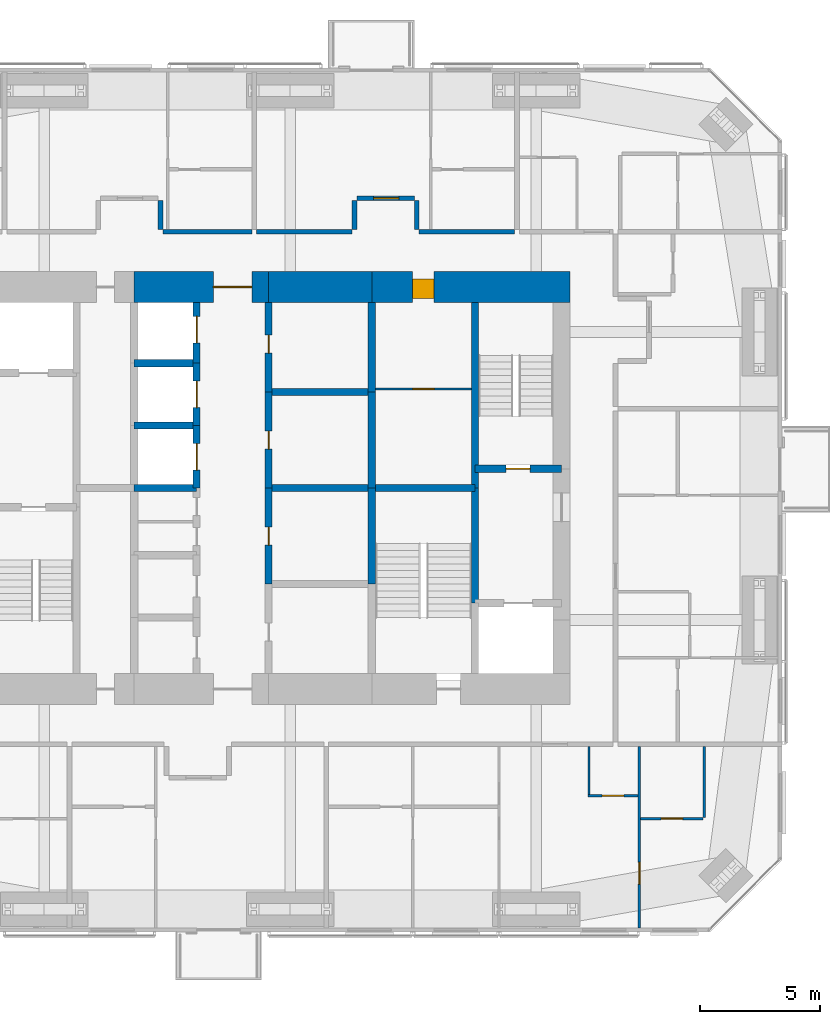
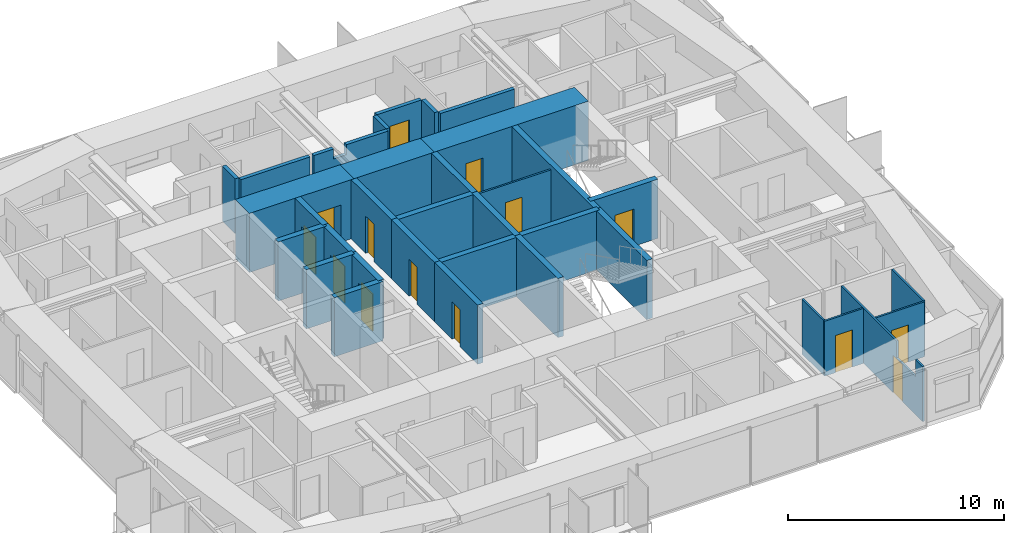
# One storey, part 19 of 23: 34 walls, 14 doors, 14 openings.
"""IFC4 building model written with IfcOpenShell, lengths in metres."""

from ifc_helpers import new_model, si_unit, direction, frame, frame_2d, origin, place, context, subcontext, project, spatial, polyline, rectangle, outline, extrude, material, layer, layer_set, constituent, constituent_set, type_object, element, fill, save


model = new_model("IFC4")

# Units and contexts
model_context = context("Model", 3, precision=1e-05, world=origin(), true_north=direction((0.0, 1.0)))
body_context = subcontext(model_context, "Body", "Model", "MODEL_VIEW")
ifc_project = project(units=[si_unit("LENGTHUNIT", "METRE"), si_unit("AREAUNIT", "SQUARE_METRE"), si_unit("VOLUMEUNIT", "CUBIC_METRE"), si_unit("PLANEANGLEUNIT", "RADIAN"), si_unit("MASSUNIT", "GRAM", prefix="KILO")], contexts=[model_context])

# Site, building, storey
site_placement = place(None, origin())
site = spatial("IfcSite", under=ifc_project, at=site_placement, CompositionType="ELEMENT")
building_placement = place(site_placement, origin())
building = spatial("IfcBuilding", under=site, at=building_placement, Name="Jalousie Tower", CompositionType="ELEMENT")
storey_placement = place(building_placement, frame((0.0, 0.0, 187.85009765625)))
storey = spatial("IfcBuildingStorey", under=building, at=storey_placement, Name="L51", CompositionType="ELEMENT", Elevation=187.85009765625)

# Wall, opening, door
ifc_material_1 = material(Name="Concrete f'c 120 MPa", Category="concrete")
ifc_layer_1 = layer(ifc_material_1, 1.300048828125)
ifc_layer_set_1 = layer_set([ifc_layer_1], Name="Concrete f'c 120 MPa")
wall_type_1 = type_object("IfcWallType", Name="CORE WALL 1300", PredefinedType="SHEAR", material=ifc_layer_set_1)
wall_1_placement = place(storey_placement, frame((44.14990234375, 26.875, 0.0), z_axis=(0.0, 0.0, 1.0), x_axis=(-1.0, 0.0, 0.0)))
wall_1 = element("IfcWall", 1, at=wall_1_placement, inside=storey, type_object=wall_type_1, Name="Core wall NA L51", PredefinedType="SHEAR", context=body_context, shape_type="SweptSolid", body=[
    extrude(rectangle(XDim=8.25, YDim=1.300048828125, at=frame_2d((4.125, 0.0))), origin(), (0.0, 0.0, 1.0), 3.349853515625),
])
opening_1_placement = place(wall_1_placement, frame((5.64990234375, 0.0, 0.0)))
opening_1 = element("IfcOpeningElement", 2, at=opening_1_placement, cuts=wall_1, Name="Opening D26", PredefinedType="OPENING", context=body_context, shape_type="SweptSolid", body=[
    extrude(rectangle(XDim=0.89990234375, YDim=2.10009765625, at=frame_2d((0.449951171875, 1.050048828125))), frame((0.0, 0.659912109375, 0.0), z_axis=(0.0, -1.0, 0.0), x_axis=(1.0, 0.0, 0.0)), (0.0, 0.0, 1.0), 1.320068359375),
])
ifc_material_2 = material(Name="Steel fire door", Category="steel")
door_type_1 = type_object("IfcDoorType", Name="HOUSEKEEPING STORE DOOR 900", OperationType="SINGLE_SWING_LEFT", PredefinedType="DOOR", material=ifc_material_2)
door_1_placement = place(opening_1_placement, origin())
door_1 = element("IfcDoor", 3, at=door_1_placement, inside=storey, type_object=door_type_1, Name="Housekeeping store door", OperationType="SINGLE_SWING_RIGHT", OverallHeight=2.10009765625, OverallWidth=0.89990234375, PredefinedType="DOOR", context=body_context, shape_type="SweptSolid", body=[
    extrude(rectangle(XDim=0.89990234375, YDim=2.10009765625, at=frame_2d((0.449951171875, 1.050048828125))), frame((0.0, 0.47021484375, 0.0), z_axis=(0.0, -1.0, 0.0), x_axis=(1.0, 0.0, 0.0)), (0.0, 0.0, 1.0), 0.800048828125),
])
fill(opening_1, door_1)

# Wall
wall_2_placement = place(storey_placement, frame((35.89990234375, 26.875, 0.0), z_axis=(0.0, 0.0, 1.0), x_axis=(-1.0, 0.0, 0.0)))
element("IfcWall", 4, at=wall_2_placement, inside=storey, type_object=wall_type_1, Name="Core wall NB L51", PredefinedType="SHEAR", context=body_context, shape_type="SweptSolid", body=[
    extrude(rectangle(XDim=4.2998046875, YDim=1.300048828125, at=frame_2d((2.14990234375, 0.0))), origin(), (0.0, 0.0, 1.0), 3.349853515625),
])

# Wall, opening, door
wall_3_placement = place(storey_placement, frame((31.60009765625, 26.875, 0.0), z_axis=(0.0, 0.0, 1.0), x_axis=(-1.0, 0.0, 0.0)))
wall_3 = element("IfcWall", 5, at=wall_3_placement, inside=storey, type_object=wall_type_1, Name="Core wall NC L51", PredefinedType="SHEAR", context=body_context, shape_type="SweptSolid", body=[
    extrude(rectangle(XDim=5.60009765625, YDim=1.300048828125, at=frame_2d((2.800048828125, 0.0))), origin(), (0.0, 0.0, 1.0), 3.349853515625),
])
opening_2_placement = place(wall_3_placement, frame((0.699951171875, 0.0, 0.0)))
opening_2 = element("IfcOpeningElement", 6, at=opening_2_placement, cuts=wall_3, Name="Opening D15", PredefinedType="OPENING", context=body_context, shape_type="SweptSolid", body=[
    extrude(rectangle(XDim=1.60009765625, YDim=2.10009765625, at=frame_2d((0.800048828125, 1.050048828125))), frame((0.0, 0.659912109375, 0.0), z_axis=(0.0, -1.0, 0.0), x_axis=(1.0, 0.0, 0.0)), (0.0, 0.0, 1.0), 1.320068359375),
])
ifc_material_3 = material(Name="Steel fire door", Category="steel")
door_type_2 = type_object("IfcDoorType", Name="LIFT LOBBY DOOR 1600", OperationType="DOUBLE_DOOR_SINGLE_SWING", PredefinedType="DOOR", material=ifc_material_3)
door_2_placement = place(opening_2_placement, origin())
door_2 = element("IfcDoor", 7, at=door_2_placement, inside=storey, type_object=door_type_2, Name="Lift lobby north door", OperationType="DOUBLE_DOOR_SINGLE_SWING", OverallHeight=2.10009765625, OverallWidth=1.60009765625, PredefinedType="DOOR", context=body_context, shape_type="SweptSolid", body=[
    extrude(rectangle(XDim=1.60009765625, YDim=2.10009765625, at=frame_2d((0.800048828125, 1.050048828125))), frame((0.0, 0.02490234375, 0.0), z_axis=(0.0, -1.0, 0.0), x_axis=(1.0, 0.0, 0.0)), (0.0, 0.0, 1.0), 0.050048828125),
])
fill(opening_2, door_2)

ifc_material_4 = material(Name="Concrete f'c 120 MPa", Category="concrete")
ifc_layer_2 = layer(ifc_material_4, 0.300048828125)
ifc_layer_set_2 = layer_set([ifc_layer_2], Name="Concrete f'c 120 MPa")
wall_type_2 = type_object("IfcWallType", Name="CORE WALL 300", PredefinedType="SHEAR", material=ifc_layer_set_2)
wall_4_placement = place(storey_placement, frame((28.60009765625, 18.5, 0.0), z_axis=(0.0, 0.0, 1.0), x_axis=(0.0, 1.0, 0.0)))
wall_4 = element("IfcWall", 8, at=wall_4_placement, inside=storey, type_object=wall_type_2, Name="Core wall X28.6D L51", PredefinedType="SHEAR", context=body_context, shape_type="SweptSolid", body=[
    extrude(rectangle(XDim=2.60009765625, YDim=0.300048828125, at=frame_2d((1.300048828125, 0.0))), origin(), (0.0, 0.0, 1.0), 3.349853515625),
])
opening_3_placement = place(wall_4_placement, frame((0.75, 0.0, 0.0)))
opening_3 = element("IfcOpeningElement", 9, at=opening_3_placement, cuts=wall_4, Name="Opening LD1", PredefinedType="OPENING", context=body_context, shape_type="SweptSolid", body=[
    extrude(rectangle(XDim=1.10009765625, YDim=2.10009765625, at=frame_2d((0.550048828125, 1.050048828125))), frame((0.0, 0.159912109375, 0.0), z_axis=(0.0, -1.0, 0.0), x_axis=(1.0, 0.0, 0.0)), (0.0, 0.0, 1.0), 0.320068359375),
])
ifc_material_5 = material(Name="Steel lift landing door", Category="steel")
door_type_3 = type_object("IfcDoorType", Name="LIFT LANDING DOOR 1100", OperationType="SLIDING_TO_LEFT", PredefinedType="DOOR", material=ifc_material_5)
door_3_placement = place(opening_3_placement, origin())
door_3 = element("IfcDoor", 10, at=door_3_placement, inside=storey, type_object=door_type_3, Name="Lift P4 landing door", OperationType="SLIDING_TO_LEFT", OverallHeight=2.10009765625, OverallWidth=1.10009765625, PredefinedType="DOOR", context=body_context, shape_type="SweptSolid", body=[
    extrude(rectangle(XDim=1.10009765625, YDim=2.10009765625, at=frame_2d((0.550048828125, 1.050048828125))), frame((0.0, 0.02490234375, 0.0), z_axis=(0.0, -1.0, 0.0), x_axis=(1.0, 0.0, 0.0)), (0.0, 0.0, 1.0), 0.050048828125),
])
fill(opening_3, door_3)

wall_5_placement = place(storey_placement, frame((28.60009765625, 21.10009765625, 0.0), z_axis=(0.0, 0.0, 1.0), x_axis=(0.0, 1.0, 0.0)))
wall_5 = element("IfcWall", 11, at=wall_5_placement, inside=storey, type_object=wall_type_2, Name="Core wall X28.6E L51", PredefinedType="SHEAR", context=body_context, shape_type="SweptSolid", body=[
    extrude(rectangle(XDim=2.599853515625, YDim=0.300048828125, at=frame_2d((1.2998046875, 0.0))), origin(), (0.0, 0.0, 1.0), 3.349853515625),
])
opening_4_placement = place(wall_5_placement, frame((0.75, 0.0, 0.0)))
opening_4 = element("IfcOpeningElement", 12, at=opening_4_placement, cuts=wall_5, Name="Opening LD1", PredefinedType="OPENING", context=body_context, shape_type="SweptSolid", body=[
    extrude(rectangle(XDim=1.10009765625, YDim=2.10009765625, at=frame_2d((0.550048828125, 1.050048828125))), frame((0.0, 0.159912109375, 0.0), z_axis=(0.0, -1.0, 0.0), x_axis=(1.0, 0.0, 0.0)), (0.0, 0.0, 1.0), 0.320068359375),
])
door_4_placement = place(opening_4_placement, origin())
door_4 = element("IfcDoor", 13, at=door_4_placement, inside=storey, type_object=door_type_3, Name="Lift P5 landing door", OperationType="SLIDING_TO_LEFT", OverallHeight=2.10009765625, OverallWidth=1.10009765625, PredefinedType="DOOR", context=body_context, shape_type="SweptSolid", body=[
    extrude(rectangle(XDim=1.10009765625, YDim=2.10009765625, at=frame_2d((0.550048828125, 1.050048828125))), frame((0.0, 0.02490234375, 0.0), z_axis=(0.0, -1.0, 0.0), x_axis=(1.0, 0.0, 0.0)), (0.0, 0.0, 1.0), 0.050048828125),
])
fill(opening_4, door_4)

wall_6_placement = place(storey_placement, frame((28.60009765625, 23.699951171875, 0.0), z_axis=(0.0, 0.0, 1.0), x_axis=(0.0, 1.0, 0.0)))
wall_6 = element("IfcWall", 14, at=wall_6_placement, inside=storey, type_object=wall_type_2, Name="Core wall X28.6F L51", PredefinedType="SHEAR", context=body_context, shape_type="SweptSolid", body=[
    extrude(rectangle(XDim=2.525146484375, YDim=0.300048828125, at=frame_2d((1.2626953125, 0.0))), origin(), (0.0, 0.0, 1.0), 3.349853515625),
])
opening_5_placement = place(wall_6_placement, frame((0.85009765625, 0.0, 0.0)))
opening_5 = element("IfcOpeningElement", 15, at=opening_5_placement, cuts=wall_6, Name="Opening LD1", PredefinedType="OPENING", context=body_context, shape_type="SweptSolid", body=[
    extrude(rectangle(XDim=1.10009765625, YDim=2.10009765625, at=frame_2d((0.550048828125, 1.050048828125))), frame((0.0, 0.159912109375, 0.0), z_axis=(0.0, -1.0, 0.0), x_axis=(1.0, 0.0, 0.0)), (0.0, 0.0, 1.0), 0.320068359375),
])
door_5_placement = place(opening_5_placement, origin())
door_5 = element("IfcDoor", 16, at=door_5_placement, inside=storey, type_object=door_type_3, Name="Lift P6 landing door", OperationType="SLIDING_TO_LEFT", OverallHeight=2.10009765625, OverallWidth=1.10009765625, PredefinedType="DOOR", context=body_context, shape_type="SweptSolid", body=[
    extrude(rectangle(XDim=1.10009765625, YDim=2.10009765625, at=frame_2d((0.550048828125, 1.050048828125))), frame((0.0, 0.02490234375, 0.0), z_axis=(0.0, -1.0, 0.0), x_axis=(1.0, 0.0, 0.0)), (0.0, 0.0, 1.0), 0.050048828125),
])
fill(opening_5, door_5)

wall_7_placement = place(storey_placement, frame((31.60009765625, 14.5, 0.0), z_axis=(0.0, 0.0, 1.0), x_axis=(0.0, 1.0, 0.0)))
wall_7 = element("IfcWall", 17, at=wall_7_placement, inside=storey, type_object=wall_type_2, Name="Core wall X31.6B L51", PredefinedType="SHEAR", context=body_context, shape_type="SweptSolid", body=[
    extrude(rectangle(XDim=4.0, YDim=0.300048828125, at=frame_2d((2.0, 0.0))), origin(), (0.0, 0.0, 1.0), 3.349853515625),
])
opening_6_placement = place(wall_7_placement, frame((1.625, 0.0, 0.0)))
opening_6 = element("IfcOpeningElement", 18, at=opening_6_placement, cuts=wall_7, Name="Opening D16", PredefinedType="OPENING", context=body_context, shape_type="SweptSolid", body=[
    extrude(rectangle(XDim=0.75, YDim=2.10009765625, at=frame_2d((0.375, 1.050048828125))), frame((0.0, 0.159912109375, 0.0), z_axis=(0.0, -1.0, 0.0), x_axis=(1.0, 0.0, 0.0)), (0.0, 0.0, 1.0), 0.320068359375),
])
ifc_material_6 = material(Name="Steel fire door", Category="steel")
door_type_4 = type_object("IfcDoorType", Name="RISER DOOR 750", OperationType="SINGLE_SWING_LEFT", PredefinedType="DOOR", material=ifc_material_6)
door_6_placement = place(opening_6_placement, frame((0.75, 0.0, 0.0), z_axis=(0.0, 0.0, 1.0), x_axis=(-1.0, 0.0, 0.0)))
door_6 = element("IfcDoor", 19, at=door_6_placement, inside=storey, type_object=door_type_4, Name="Electrical Room door", OperationType="SINGLE_SWING_RIGHT", OverallHeight=2.10009765625, OverallWidth=0.75, PredefinedType="DOOR", context=body_context, shape_type="SweptSolid", body=[
    extrude(rectangle(XDim=0.75, YDim=2.10009765625, at=frame_2d((0.375, 1.050048828125))), frame((0.0, 0.02490234375, 0.0), z_axis=(0.0, -1.0, 0.0), x_axis=(1.0, 0.0, 0.0)), (0.0, 0.0, 1.0), 0.050048828125),
])
fill(opening_6, door_6)

wall_8_placement = place(storey_placement, frame((31.60009765625, 18.5, 0.0), z_axis=(0.0, 0.0, 1.0), x_axis=(0.0, 1.0, 0.0)))
wall_8 = element("IfcWall", 20, at=wall_8_placement, inside=storey, type_object=wall_type_2, Name="Core wall X31.6C L51", PredefinedType="SHEAR", context=body_context, shape_type="SweptSolid", body=[
    extrude(rectangle(XDim=4.0, YDim=0.300048828125, at=frame_2d((2.0, 0.0))), origin(), (0.0, 0.0, 1.0), 3.349853515625),
])
opening_7_placement = place(wall_8_placement, frame((1.625, 0.0, 0.0)))
opening_7 = element("IfcOpeningElement", 21, at=opening_7_placement, cuts=wall_8, Name="Opening D16", PredefinedType="OPENING", context=body_context, shape_type="SweptSolid", body=[
    extrude(rectangle(XDim=0.75, YDim=2.10009765625, at=frame_2d((0.375, 1.050048828125))), frame((0.0, 0.159912109375, 0.0), z_axis=(0.0, -1.0, 0.0), x_axis=(1.0, 0.0, 0.0)), (0.0, 0.0, 1.0), 0.320068359375),
])
door_7_placement = place(opening_7_placement, frame((0.75, 0.0, 0.0), z_axis=(0.0, 0.0, 1.0), x_axis=(-1.0, 0.0, 0.0)))
door_7 = element("IfcDoor", 22, at=door_7_placement, inside=storey, type_object=door_type_4, Name="Telecom Room door", OperationType="SINGLE_SWING_RIGHT", OverallHeight=2.10009765625, OverallWidth=0.75, PredefinedType="DOOR", context=body_context, shape_type="SweptSolid", body=[
    extrude(rectangle(XDim=0.75, YDim=2.10009765625, at=frame_2d((0.375, 1.050048828125))), frame((0.0, 0.02490234375, 0.0), z_axis=(0.0, -1.0, 0.0), x_axis=(1.0, 0.0, 0.0)), (0.0, 0.0, 1.0), 0.050048828125),
])
fill(opening_7, door_7)

wall_9_placement = place(storey_placement, frame((31.60009765625, 22.5, 0.0), z_axis=(0.0, 0.0, 1.0), x_axis=(0.0, 1.0, 0.0)))
wall_9 = element("IfcWall", 23, at=wall_9_placement, inside=storey, type_object=wall_type_2, Name="Core wall X31.6D L51", PredefinedType="SHEAR", context=body_context, shape_type="SweptSolid", body=[
    extrude(rectangle(XDim=3.72509765625, YDim=0.300048828125, at=frame_2d((1.862548828125, 0.0))), origin(), (0.0, 0.0, 1.0), 3.349853515625),
])
opening_8_placement = place(wall_9_placement, frame((1.625, 0.0, 0.0)))
opening_8 = element("IfcOpeningElement", 24, at=opening_8_placement, cuts=wall_9, Name="Opening D16", PredefinedType="OPENING", context=body_context, shape_type="SweptSolid", body=[
    extrude(rectangle(XDim=0.75, YDim=2.10009765625, at=frame_2d((0.375, 1.050048828125))), frame((0.0, 0.159912109375, 0.0), z_axis=(0.0, -1.0, 0.0), x_axis=(1.0, 0.0, 0.0)), (0.0, 0.0, 1.0), 0.320068359375),
])
door_8_placement = place(opening_8_placement, frame((0.75, 0.0, 0.0), z_axis=(0.0, 0.0, 1.0), x_axis=(-1.0, 0.0, 0.0)))
door_8 = element("IfcDoor", 25, at=door_8_placement, inside=storey, type_object=door_type_4, Name="Water Services Room door", OperationType="SINGLE_SWING_LEFT", OverallHeight=2.10009765625, OverallWidth=0.75, PredefinedType="DOOR", context=body_context, shape_type="SweptSolid", body=[
    extrude(rectangle(XDim=0.75, YDim=2.10009765625, at=frame_2d((0.375, 1.050048828125))), frame((0.0, 0.02490234375, 0.0), z_axis=(0.0, -1.0, 0.0), x_axis=(1.0, 0.0, 0.0)), (0.0, 0.0, 1.0), 0.050048828125),
])
fill(opening_8, door_8)

# Walls
for number, where, z_axis, x_axis, name in (
    (26, (35.89990234375, 14.5, 0.0), (0.0, 0.0, 1.0), (0.0, 1.0, 0.0), "Core wall X35.9B L51"),
    (27, (35.89990234375, 18.5, 0.0), (0.0, 0.0, 1.0), (0.0, 1.0, 0.0), "Core wall X35.9C L51"),
):
    element("IfcWall", number, at=place(storey_placement, frame(where, z_axis=z_axis, x_axis=x_axis)), inside=storey, type_object=wall_type_2, Name=name, PredefinedType="SHEAR", context=body_context, shape_type="SweptSolid", body=[
        extrude(rectangle(XDim=4.0, YDim=0.300048828125, at=frame_2d((2.0, 0.0))), origin(), (0.0, 0.0, 1.0), 3.349853515625),
    ])
wall_10_placement = place(storey_placement, frame((35.89990234375, 22.5, 0.0), z_axis=(0.0, 0.0, 1.0), x_axis=(0.0, 1.0, 0.0)))
element("IfcWall", 28, at=wall_10_placement, inside=storey, type_object=wall_type_2, Name="Core wall X35.9D L51", PredefinedType="SHEAR", context=body_context, shape_type="SweptSolid", body=[
    extrude(rectangle(XDim=3.72509765625, YDim=0.300048828125, at=frame_2d((1.862548828125, 0.0))), origin(), (0.0, 0.0, 1.0), 3.349853515625),
])
wall_11_placement = place(storey_placement, frame((40.199951171875, 13.699951171875, 0.0), z_axis=(0.0, 0.0, 1.0), x_axis=(0.0, 1.0, 0.0)))
element("IfcWall", 29, at=wall_11_placement, inside=storey, type_object=wall_type_2, Name="Core wall X40.2B L51", PredefinedType="SHEAR", context=body_context, shape_type="SweptSolid", body=[
    extrude(rectangle(XDim=4.800048828125, YDim=0.300048828125, at=frame_2d((2.39990234375, 0.0))), origin(), (0.0, 0.0, 1.0), 3.349853515625),
])
wall_12_placement = place(storey_placement, frame((40.199951171875, 18.5, 0.0), z_axis=(0.0, 0.0, 1.0), x_axis=(0.0, 1.0, 0.0)))
element("IfcWall", 30, at=wall_12_placement, inside=storey, type_object=wall_type_2, Name="Core wall X40.2C L51", PredefinedType="SHEAR", context=body_context, shape_type="SweptSolid", body=[
    extrude(rectangle(XDim=7.72509765625, YDim=0.300048828125, at=frame_2d((3.862548828125, 0.0))), origin(), (0.0, 0.0, 1.0), 3.349853515625),
])
for number, where, z_axis, x_axis, name in (
    (31, (26.0, 18.5, 0.0), (0.0, 0.0, 1.0), (1.0, 0.0, 0.0), "Core wall Y26-18.5 L51"),
    (32, (26.0, 21.10009765625, 0.0), (0.0, 0.0, 1.0), (1.0, 0.0, 0.0), "Core wall Y26-21.1 L51"),
    (33, (26.0, 23.699951171875, 0.0), (0.0, 0.0, 1.0), (1.0, 0.0, 0.0), "Core wall Y26-23.7 L51"),
):
    element("IfcWall", number, at=place(storey_placement, frame(where, z_axis=z_axis, x_axis=x_axis)), inside=storey, type_object=wall_type_2, Name=name, PredefinedType="SHEAR", context=body_context, shape_type="SweptSolid", body=[
        extrude(rectangle(XDim=2.60009765625, YDim=0.300048828125, at=frame_2d((1.300048828125, 0.0))), origin(), (0.0, 0.0, 1.0), 3.349853515625),
    ])
for number, where, z_axis, x_axis, name in (
    (34, (31.60009765625, 18.5, 0.0), (0.0, 0.0, 1.0), (1.0, 0.0, 0.0), "Core wall Y31.6-18.5 L51"),
    (35, (31.60009765625, 22.5, 0.0), (0.0, 0.0, 1.0), (1.0, 0.0, 0.0), "Core wall Y31.6-22.5 L51"),
):
    element("IfcWall", number, at=place(storey_placement, frame(where, z_axis=z_axis, x_axis=x_axis)), inside=storey, type_object=wall_type_2, Name=name, PredefinedType="SHEAR", context=body_context, shape_type="SweptSolid", body=[
        extrude(rectangle(XDim=4.2998046875, YDim=0.300048828125, at=frame_2d((2.14990234375, 0.0))), origin(), (0.0, 0.0, 1.0), 3.349853515625),
    ])
wall_13_placement = place(storey_placement, frame((35.89990234375, 18.5, 0.0), z_axis=(0.0, 0.0, 1.0), x_axis=(1.0, 0.0, 0.0)))
element("IfcWall", 36, at=wall_13_placement, inside=storey, type_object=wall_type_2, Name="Core wall Y35.9-18.5 L51", PredefinedType="SHEAR", context=body_context, shape_type="SweptSolid", body=[
    extrude(rectangle(XDim=4.300048828125, YDim=0.300048828125, at=frame_2d((2.14990234375, 0.0))), origin(), (0.0, 0.0, 1.0), 3.349853515625),
])

# Wall, opening, door
wall_14_placement = place(storey_placement, frame((40.199951171875, 19.300048828125, 0.0), z_axis=(0.0, 0.0, 1.0), x_axis=(1.0, 0.0, 0.0)))
wall_14 = element("IfcWall", 37, at=wall_14_placement, inside=storey, type_object=wall_type_2, Name="Core wall Y40.2-19.3 L51", PredefinedType="SHEAR", context=body_context, shape_type="SweptSolid", body=[
    extrude(rectangle(XDim=3.60009765625, YDim=0.300048828125, at=frame_2d((1.800048828125, 0.0))), origin(), (0.0, 0.0, 1.0), 3.349853515625),
])
opening_9_placement = place(wall_14_placement, frame((1.300048828125, 0.0, 0.0)))
opening_9 = element("IfcOpeningElement", 38, at=opening_9_placement, cuts=wall_14, Name="Opening D10", PredefinedType="OPENING", context=body_context, shape_type="SweptSolid", body=[
    extrude(rectangle(XDim=1.0, YDim=2.10009765625, at=frame_2d((0.5, 1.050048828125))), frame((0.0, 0.159912109375, 0.0), z_axis=(0.0, -1.0, 0.0), x_axis=(1.0, 0.0, 0.0)), (0.0, 0.0, 1.0), 0.320068359375),
])
ifc_material_7 = material(Name="Steel fire door", Category="steel")
door_type_5 = type_object("IfcDoorType", Name="STAIR DOOR 1000", OperationType="SINGLE_SWING_LEFT", PredefinedType="DOOR", material=ifc_material_7)
door_9_placement = place(opening_9_placement, origin())
door_9 = element("IfcDoor", 39, at=door_9_placement, inside=storey, type_object=door_type_5, Name="Exit stair B door", OperationType="SINGLE_SWING_RIGHT", OverallHeight=2.10009765625, OverallWidth=1.0, PredefinedType="DOOR", context=body_context, shape_type="SweptSolid", body=[
    extrude(rectangle(XDim=1.0, YDim=2.10009765625, at=frame_2d((0.5, 1.050048828125))), frame((0.0, 0.02490234375, 0.0), z_axis=(0.0, -1.0, 0.0), x_axis=(1.0, 0.0, 0.0)), (0.0, 0.0, 1.0), 0.050048828125),
])
fill(opening_9, door_9)

# Walls
ifc_material_8 = material(Name="Concrete block ASTM C90", Category="concrete")
ifc_constituent_1 = constituent(ifc_material_8, Name="Body")
ifc_material_9 = material(Name="Render")
ifc_constituent_2 = constituent(ifc_material_9, Name="Finish")
ifc_constituent_set_1 = constituent_set(constituents=[ifc_constituent_1, ifc_constituent_2])
wall_type_3 = type_object("IfcWallType", Name="CORRIDOR WALL 200", PredefinedType="PARTITIONING", material=ifc_constituent_set_1)
wall_15_placement = place(storey_placement, frame((31.10009765625, 29.175048828125, 0.0), z_axis=(0.0, 0.0, 1.0), x_axis=(1.0, 0.0, 0.0)))
element("IfcWall", 40, at=wall_15_placement, inside=storey, type_object=wall_type_3, Name="Corridor Wall 200 L51", PredefinedType="PARTITIONING", context=body_context, shape_type="SweptSolid", body=[
    extrude(outline(polyline([(0.0, 0.0), (3.974853515625, 0.0), (3.97509765625, 3.10986328125), (1.7373046875, 3.10986328125), (1.7373046875, 2.541015625), (1.0625, 2.541015625), (1.0625, 3.10986328125), (0.0, 3.10986328125), (0.0, 0.0)])), frame((0.0, 0.10009765625, 0.0), z_axis=(0.0, -1.0, 0.0), x_axis=(1.0, 0.0, 0.0)), (0.0, 0.0, 1.0), 0.199951171875),
])
wall_16_placement = place(storey_placement, frame((27.199951171875, 29.175048828125, 0.0), z_axis=(0.0, 0.0, 1.0), x_axis=(1.0, 0.0, 0.0)))
element("IfcWall", 41, at=wall_16_placement, inside=storey, type_object=wall_type_3, Name="Corridor Wall 200 L51", PredefinedType="PARTITIONING", context=body_context, shape_type="SweptSolid", body=[
    extrude(rectangle(XDim=3.699951171875, YDim=0.199951171875, at=frame_2d((1.85009765625, 0.0))), origin(), (0.0, 0.0, 1.0), 3.10986328125),
])
wall_17_placement = place(storey_placement, frame((27.10009765625, 29.27490234375, 0.0), z_axis=(0.0, 0.0, 1.0), x_axis=(0.0, 1.0, 0.0)))
element("IfcWall", 42, at=wall_17_placement, inside=storey, type_object=wall_type_3, Name="Corridor Wall 200 L51", PredefinedType="PARTITIONING", context=body_context, shape_type="SweptSolid", body=[
    extrude(rectangle(XDim=1.2001953125, YDim=0.199951171875, at=frame_2d((0.60009765625, 0.0))), origin(), (0.0, 0.0, 1.0), 3.10986328125),
])
wall_18_placement = place(storey_placement, frame((37.875, 29.175048828125, 0.0), z_axis=(0.0, 0.0, 1.0), x_axis=(1.0, 0.0, 0.0)))
element("IfcWall", 43, at=wall_18_placement, inside=storey, type_object=wall_type_3, Name="Corridor Wall 200 L51", PredefinedType="PARTITIONING", context=body_context, shape_type="SweptSolid", body=[
    extrude(rectangle(XDim=3.97509765625, YDim=0.199951171875, at=frame_2d((1.987548828125, 0.0))), origin(), (0.0, 0.0, 1.0), 3.10986328125),
])

# Wall, opening, door
wall_19_placement = place(storey_placement, frame((35.27490234375, 30.574951171875, 0.0), z_axis=(0.0, 0.0, 1.0), x_axis=(1.0, 0.0, 0.0)))
wall_19 = element("IfcWall", 44, at=wall_19_placement, inside=storey, type_object=wall_type_3, Name="Corridor Wall 200 L51", PredefinedType="PARTITIONING", context=body_context, shape_type="SweptSolid", body=[
    extrude(rectangle(XDim=2.400146484375, YDim=0.199951171875, at=frame_2d((1.2001953125, 0.0))), origin(), (0.0, 0.0, 1.0), 3.10986328125),
])
opening_10_placement = place(wall_19_placement, frame((0.699951171875, 0.0, 0.0)))
opening_10 = element("IfcOpeningElement", 45, at=opening_10_placement, cuts=wall_19, Name="Opening D1", PredefinedType="OPENING", context=body_context, shape_type="SweptSolid", body=[
    extrude(rectangle(XDim=1.050048828125, YDim=2.199951171875, at=frame_2d((0.52490234375, 1.10009765625))), frame((0.0, 0.10986328125, 0.0), z_axis=(0.0, -1.0, 0.0), x_axis=(1.0, 0.0, 0.0)), (0.0, 0.0, 1.0), 0.219970703125),
])
ifc_material_10 = material(Name="Timber fire door", Category="wood")
door_type_6 = type_object("IfcDoorType", Name="APARTMENT ENTRANCE DOOR 1050", OperationType="SINGLE_SWING_LEFT", PredefinedType="DOOR", material=ifc_material_10)
door_10_placement = place(opening_10_placement, origin())
door_10 = element("IfcDoor", 46, at=door_10_placement, inside=storey, type_object=door_type_6, Name="Apartment 5106 entrance", OperationType="SINGLE_SWING_RIGHT", OverallHeight=2.199951171875, OverallWidth=1.050048828125, PredefinedType="DOOR", context=body_context, shape_type="SweptSolid", body=[
    extrude(rectangle(XDim=1.050048828125, YDim=2.199951171875, at=frame_2d((0.52490234375, 1.10009765625))), frame((0.0, 0.02490234375, 0.0), z_axis=(0.0, -1.0, 0.0), x_axis=(1.0, 0.0, 0.0)), (0.0, 0.0, 1.0), 0.050048828125),
])
fill(opening_10, door_10)

# Walls
for number, where, z_axis, x_axis, name in (
    (47, (35.175048828125, 29.27490234375, 0.0), (0.0, 0.0, 1.0), (0.0, 1.0, 0.0), "Corridor Wall 200 L51"),
    (48, (37.77490234375, 29.27490234375, 0.0), (0.0, 0.0, 1.0), (0.0, 1.0, 0.0), "Corridor Wall 200 L51"),
):
    element("IfcWall", number, at=place(storey_placement, frame(where, z_axis=z_axis, x_axis=x_axis)), inside=storey, type_object=wall_type_3, Name=name, PredefinedType="PARTITIONING", context=body_context, shape_type="SweptSolid", body=[
        extrude(rectangle(XDim=1.2001953125, YDim=0.199951171875, at=frame_2d((0.60009765625, 0.0))), origin(), (0.0, 0.0, 1.0), 3.10986328125),
    ])

# Wall, opening, door
ifc_material_11 = material(Name="Gypsum board", Category="gypsum")
ifc_constituent_3 = constituent(ifc_material_11, Name="Body")
ifc_material_12 = material(Name="Light-gauge steel studs ASTM A653 SS Grade 33", Category="steel")
ifc_constituent_4 = constituent(ifc_material_12, Name="Framing")
ifc_constituent_set_2 = constituent_set(constituents=[ifc_constituent_3, ifc_constituent_4])
wall_type_4 = type_object("IfcWallType", Name="PARTITION 100", PredefinedType="PARTITIONING", material=ifc_constituent_set_2)
wall_20_placement = place(storey_placement, frame((47.050048828125, 0.175048828125, 0.0), z_axis=(0.0, 0.0, 1.0), x_axis=(0.0, 1.0, 0.0)))
wall_20 = element("IfcWall", 49, at=wall_20_placement, inside=storey, type_object=wall_type_4, Name="Partition 100 L51", PredefinedType="PARTITIONING", context=body_context, shape_type="SweptSolid", body=[
    extrude(outline(polyline([(0.0, 0.0), (7.550048828125, 0.0), (7.550048828125, 3.10986328125), (2.409423828125, 3.10986328125), (2.409423828125, 2.14990234375), (0.66259765625, 2.14990234375), (0.66259765625, 3.10986328125), (0.0, 3.10986328125), (0.0, 0.0)])), frame((0.0, 0.050048828125, 0.0), z_axis=(0.0, -1.0, 0.0), x_axis=(1.0, 0.0, 0.0)), (0.0, 0.0, 1.0), 0.10009765625),
])
opening_11_placement = place(wall_20_placement, frame((1.824951171875, 0.0, 0.0)))
opening_11 = element("IfcOpeningElement", 50, at=opening_11_placement, cuts=wall_20, Name="Opening D2", PredefinedType="OPENING", context=body_context, shape_type="SweptSolid", body=[
    extrude(rectangle(XDim=0.89990234375, YDim=2.10009765625, at=frame_2d((0.449951171875, 1.050048828125))), frame((0.0, 0.06005859375, 0.0), z_axis=(0.0, -1.0, 0.0), x_axis=(1.0, 0.0, 0.0)), (0.0, 0.0, 1.0), 0.1201171875),
])
ifc_material_13 = material(Name="Timber door", Category="wood")
door_type_7 = type_object("IfcDoorType", Name="BEDROOM DOOR 900", OperationType="SINGLE_SWING_LEFT", PredefinedType="DOOR", material=ifc_material_13)
door_11_placement = place(opening_11_placement, origin())
door_11 = element("IfcDoor", 51, at=door_11_placement, inside=storey, type_object=door_type_7, Name="Apartment 5103 study door", OperationType="SINGLE_SWING_LEFT", OverallHeight=2.10009765625, OverallWidth=0.89990234375, PredefinedType="DOOR", context=body_context, shape_type="SweptSolid", body=[
    extrude(rectangle(XDim=0.89990234375, YDim=2.10009765625, at=frame_2d((0.449951171875, 1.050048828125))), frame((0.0, 0.02490234375, 0.0), z_axis=(0.0, -1.0, 0.0), x_axis=(1.0, 0.0, 0.0)), (0.0, 0.0, 1.0), 0.050048828125),
])
fill(opening_11, door_11)

wall_21_placement = place(storey_placement, frame((47.10009765625, 4.72509765625, 0.0), z_axis=(0.0, 0.0, 1.0), x_axis=(1.0, 0.0, 0.0)))
wall_21 = element("IfcWall", 52, at=wall_21_placement, inside=storey, type_object=wall_type_4, Name="Partition 100 L51", PredefinedType="PARTITIONING", context=body_context, shape_type="SweptSolid", body=[
    extrude(rectangle(XDim=2.599853515625, YDim=0.10009765625, at=frame_2d((1.2998046875, 0.0))), origin(), (0.0, 0.0, 1.0), 3.10986328125),
])
opening_12_placement = place(wall_21_placement, frame((0.85009765625, 0.0, 0.0)))
opening_12 = element("IfcOpeningElement", 53, at=opening_12_placement, cuts=wall_21, Name="Opening D7", PredefinedType="OPENING", context=body_context, shape_type="SweptSolid", body=[
    extrude(rectangle(XDim=0.89990234375, YDim=2.10009765625, at=frame_2d((0.449951171875, 1.050048828125))), frame((0.0, 0.06005859375, 0.0), z_axis=(0.0, -1.0, 0.0), x_axis=(1.0, 0.0, 0.0)), (0.0, 0.0, 1.0), 0.1201171875),
])
ifc_material_14 = material(Name="Timber door", Category="wood")
door_type_8 = type_object("IfcDoorType", Name="INTERNAL DOOR 900", OperationType="SINGLE_SWING_LEFT", PredefinedType="DOOR", material=ifc_material_14)
door_12_placement = place(opening_12_placement, frame((0.89990234375, 0.0, 0.0), z_axis=(0.0, 0.0, 1.0), x_axis=(-1.0, 0.0, 0.0)))
door_12 = element("IfcDoor", 54, at=door_12_placement, inside=storey, type_object=door_type_8, Name="Apartment 5103 kitchen door", OperationType="SINGLE_SWING_RIGHT", OverallHeight=2.10009765625, OverallWidth=0.89990234375, PredefinedType="DOOR", context=body_context, shape_type="SweptSolid", body=[
    extrude(rectangle(XDim=0.89990234375, YDim=2.10009765625, at=frame_2d((0.449951171875, 1.050048828125))), frame((0.0, 0.02490234375, 0.0), z_axis=(0.0, -1.0, 0.0), x_axis=(1.0, 0.0, 0.0)), (0.0, 0.0, 1.0), 0.050048828125),
])
fill(opening_12, door_12)

# Wall
wall_22_placement = place(storey_placement, frame((49.75, 4.77490234375, 0.0), z_axis=(0.0, 0.0, 1.0), x_axis=(0.0, 1.0, 0.0)))
element("IfcWall", 55, at=wall_22_placement, inside=storey, type_object=wall_type_4, Name="Partition 100 L51", PredefinedType="PARTITIONING", context=body_context, shape_type="SweptSolid", body=[
    extrude(rectangle(XDim=2.9501953125, YDim=0.10009765625, at=frame_2d((1.47509765625, 0.0))), origin(), (0.0, 0.0, 1.0), 3.10986328125),
])

# Wall, opening, door
wall_23_placement = place(storey_placement, frame((47.0, 5.675048828125, 0.0), z_axis=(0.0, 0.0, 1.0), x_axis=(-1.0, 0.0, 0.0)))
wall_23 = element("IfcWall", 56, at=wall_23_placement, inside=storey, type_object=wall_type_4, Name="Partition 100 L51", PredefinedType="PARTITIONING", context=body_context, shape_type="SweptSolid", body=[
    extrude(rectangle(XDim=2.10009765625, YDim=0.10009765625, at=frame_2d((1.050048828125, 0.0))), origin(), (0.0, 0.0, 1.0), 3.10986328125),
])
opening_13_placement = place(wall_23_placement, frame((0.60009765625, 0.0, 0.0)))
opening_13 = element("IfcOpeningElement", 57, at=opening_13_placement, cuts=wall_23, Name="Opening D7", PredefinedType="OPENING", context=body_context, shape_type="SweptSolid", body=[
    extrude(rectangle(XDim=0.89990234375, YDim=2.10009765625, at=frame_2d((0.449951171875, 1.050048828125))), frame((0.0, 0.06005859375, 0.0), z_axis=(0.0, -1.0, 0.0), x_axis=(1.0, 0.0, 0.0)), (0.0, 0.0, 1.0), 0.1201171875),
])
door_13_placement = place(opening_13_placement, origin())
door_13 = element("IfcDoor", 58, at=door_13_placement, inside=storey, type_object=door_type_8, Name="Apartment 5103 study store room door", OperationType="SINGLE_SWING_LEFT", OverallHeight=2.10009765625, OverallWidth=0.89990234375, PredefinedType="DOOR", context=body_context, shape_type="SweptSolid", body=[
    extrude(rectangle(XDim=0.89990234375, YDim=2.10009765625, at=frame_2d((0.449951171875, 1.050048828125))), frame((0.0, 0.02490234375, 0.0), z_axis=(0.0, -1.0, 0.0), x_axis=(1.0, 0.0, 0.0)), (0.0, 0.0, 1.0), 0.050048828125),
])
fill(opening_13, door_13)

# Wall
wall_24_placement = place(storey_placement, frame((44.949951171875, 7.72509765625, 0.0), z_axis=(0.0, 0.0, 1.0), x_axis=(0.0, -1.0, 0.0)))
element("IfcWall", 59, at=wall_24_placement, inside=storey, type_object=wall_type_4, Name="Partition 100 L51", PredefinedType="PARTITIONING", context=body_context, shape_type="SweptSolid", body=[
    extrude(rectangle(XDim=2.0, YDim=0.10009765625, at=frame_2d((1.0, 0.0))), origin(), (0.0, 0.0, 1.0), 3.10986328125),
])

# Wall, opening, door
wall_25_placement = place(storey_placement, frame((36.050048828125, 22.625, 0.0), z_axis=(0.0, 0.0, 1.0), x_axis=(1.0, 0.0, 0.0)))
wall_25 = element("IfcWall", 60, at=wall_25_placement, inside=storey, type_object=wall_type_4, Name="Partition 100 L51", PredefinedType="PARTITIONING", context=body_context, shape_type="SweptSolid", body=[
    extrude(rectangle(XDim=4.0, YDim=0.10009765625, at=frame_2d((2.0, 0.0))), origin(), (0.0, 0.0, 1.0), 3.10986328125),
])
opening_14_placement = place(wall_25_placement, frame((1.550048828125, 0.0, 0.0)))
opening_14 = element("IfcOpeningElement", 61, at=opening_14_placement, cuts=wall_25, Name="Opening D7", PredefinedType="OPENING", context=body_context, shape_type="SweptSolid", body=[
    extrude(rectangle(XDim=0.89990234375, YDim=2.10009765625, at=frame_2d((0.449951171875, 1.050048828125))), frame((0.0, 0.06005859375, 0.0), z_axis=(0.0, -1.0, 0.0), x_axis=(1.0, 0.0, 0.0)), (0.0, 0.0, 1.0), 0.1201171875),
])
door_14_placement = place(opening_14_placement, frame((0.89990234375, 0.0, 0.0), z_axis=(0.0, 0.0, 1.0), x_axis=(-1.0, 0.0, 0.0)))
door_14 = element("IfcDoor", 62, at=door_14_placement, inside=storey, type_object=door_type_8, Name="Linen store door", OperationType="SINGLE_SWING_RIGHT", OverallHeight=2.10009765625, OverallWidth=0.89990234375, PredefinedType="DOOR", context=body_context, shape_type="SweptSolid", body=[
    extrude(rectangle(XDim=0.89990234375, YDim=2.10009765625, at=frame_2d((0.449951171875, 1.050048828125))), frame((0.0, 0.02490234375, 0.0), z_axis=(0.0, -1.0, 0.0), x_axis=(1.0, 0.0, 0.0)), (0.0, 0.0, 1.0), 0.050048828125),
])
fill(opening_14, door_14)

save(model, "model.ifc")
